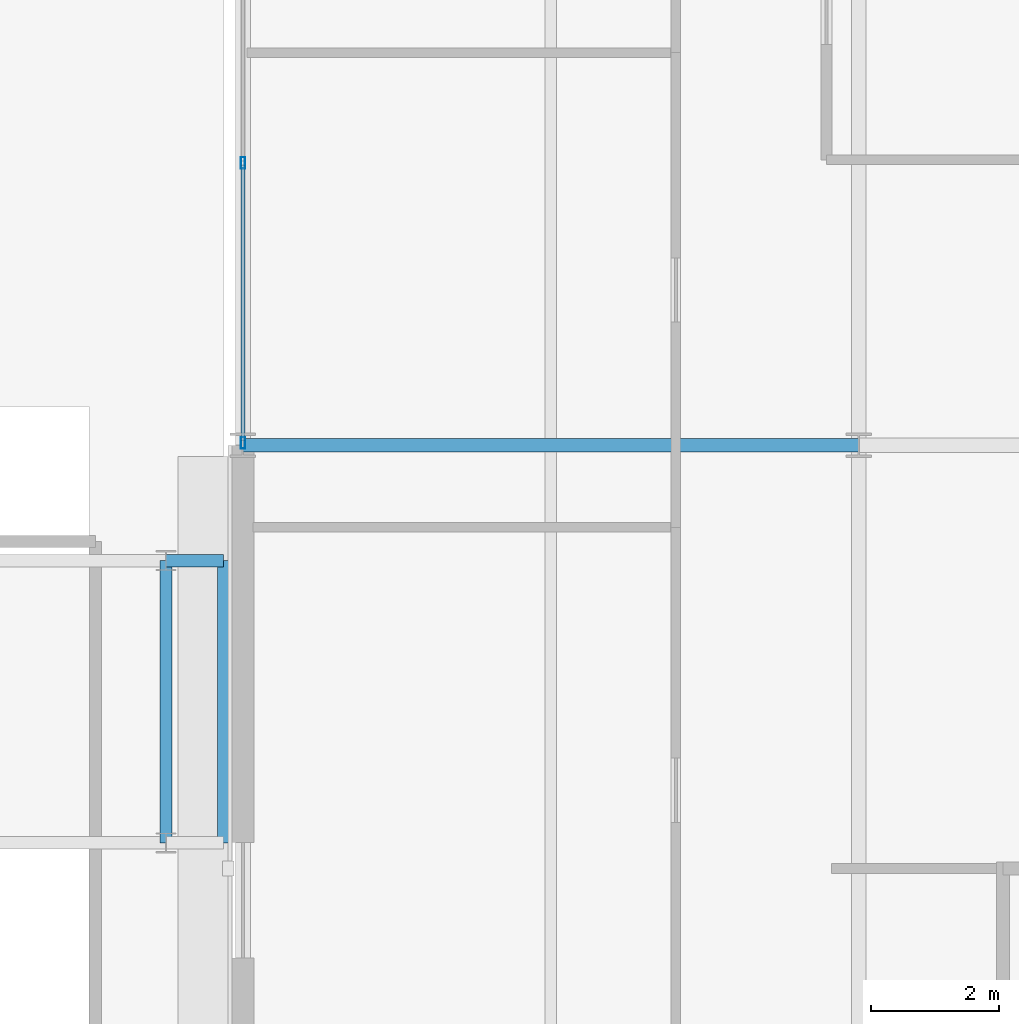
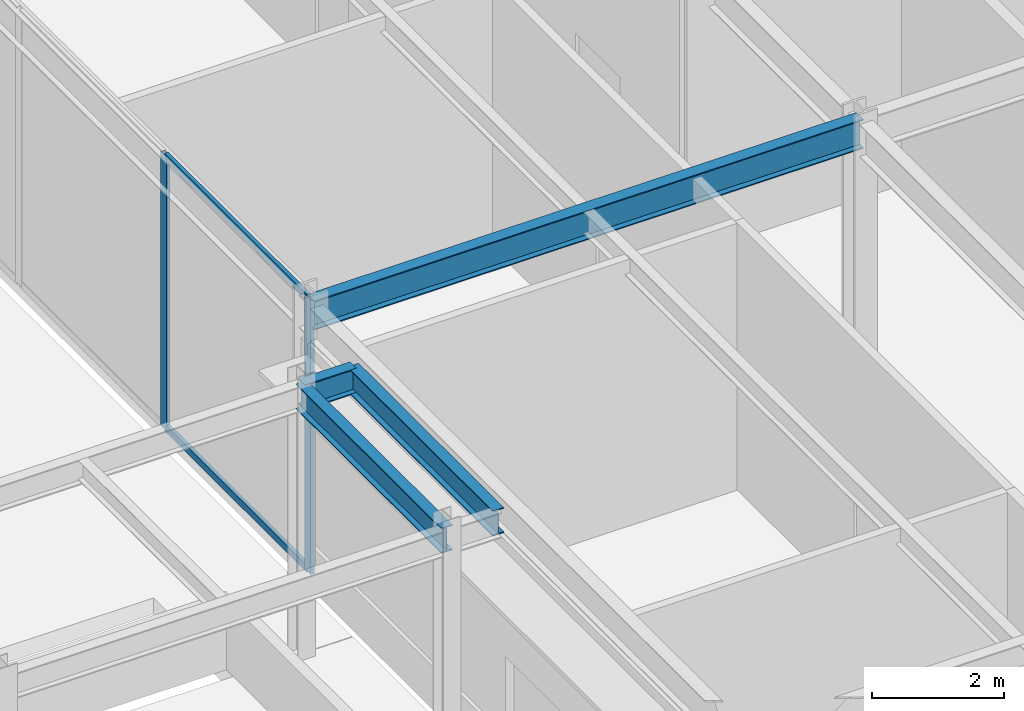
# One storey, part 101 of 168: 4 beams, 4 members, 1 element without a shape of its own.
"""IFC4 building model written with IfcOpenShell, lengths in metres."""

from ifc_helpers import new_model, si_unit, direction, frame, origin, origin_2d, place, context, subcontext, project, spatial, hollow_rectangle, i_section, extrude, material, material_profile, profile_set, type_object, element, aggregate, save


model = new_model("IFC4")

# Units and contexts
model_context = context("Model", 3, precision=1e-05, world=origin(), true_north=direction((0.0, 1.0)))
body_context = subcontext(model_context, "Body", "Model", "MODEL_VIEW")
ifc_project = project(units=[si_unit("LENGTHUNIT", "METRE"), si_unit("AREAUNIT", "SQUARE_METRE"), si_unit("VOLUMEUNIT", "CUBIC_METRE"), si_unit("PLANEANGLEUNIT", "RADIAN"), si_unit("MASSUNIT", "GRAM", prefix="KILO")], contexts=[model_context])

# Site, building, storey
site_placement = place(None, origin())
site = spatial("IfcSite", under=ifc_project, at=site_placement, CompositionType="ELEMENT")
building_placement = place(site_placement, origin())
building = spatial("IfcBuilding", under=site, at=building_placement, Name="Almandine Court Research Institute", CompositionType="ELEMENT")
storey_placement = place(building_placement, origin())
storey = spatial("IfcBuildingStorey", under=building, at=storey_placement, Name="L00", CompositionType="ELEMENT", Elevation=0.0)

# Beams
ifc_material_1 = material(Name="Steel ASTM A992 Grade 50", Category="steel")
ifc_material_profile_1 = material_profile(ifc_material_1, i_section(OverallWidth=0.2109375, OverallDepth=0.5390625, WebThickness=0.011962890625, FlangeThickness=0.01904296875, at=origin_2d()), Name="W530x109")
ifc_profile_set_1 = profile_set([ifc_material_profile_1], Name="Steel ASTM A992 Grade 50")
beam_type_1 = type_object("IfcBeamType", Name="Beam-G-04", PredefinedType="BEAM", material=ifc_profile_set_1)
beam_1_placement = place(storey_placement, frame((153.60009765625, 57.60009765625, 4.801025390625), z_axis=(1.0, 0.0, 0.0), x_axis=(0.0, 1.0, 0.0)))
element("IfcBeam", 1, at=beam_1_placement, inside=storey, type_object=beam_type_1, Name="L00 V4 Primary X Girder", PredefinedType="BEAM", context=body_context, shape_type="SweptSolid", body=[
    extrude(i_section(OverallWidth=0.2109375, OverallDepth=0.5390625, WebThickness=0.011962890625, FlangeThickness=0.01904296875, at=origin_2d()), origin(), (0.0, 0.0, 1.0), 9.599853515625),
])
ifc_material_profile_2 = material_profile(ifc_material_1, i_section(OverallWidth=0.193115234375, OverallDepth=0.466064453125, WebThickness=0.010986328125, FlangeThickness=0.01904296875, at=origin_2d()), Name="W460x97")
ifc_profile_set_2 = profile_set([ifc_material_profile_2], Name="Steel ASTM A992 Grade 50")
beam_type_2 = type_object("IfcBeamType", Name="Beam-G-06-E", PredefinedType="SPANDREL", material=ifc_profile_set_2)
beam_2_placement = place(storey_placement, frame((152.39990234375, 51.39990234375, 4.7900390625), z_axis=(0.0, 1.0, 0.0), x_axis=(-1.0, 0.0, 0.0)))
element("IfcBeam", 2, at=beam_2_placement, inside=storey, type_object=beam_type_2, Name="L00 DAL-E Primary Y Girder", PredefinedType="SPANDREL", context=body_context, shape_type="SweptSolid", body=[
    extrude(i_section(OverallWidth=0.193115234375, OverallDepth=0.466064453125, WebThickness=0.010986328125, FlangeThickness=0.01904296875, at=origin_2d()), origin(), (0.0, 0.0, 1.0), 4.400146484375),
])
beam_3_placement = place(storey_placement, frame((152.39990234375, 55.800048828125, 4.7919921875), z_axis=(1.0, 0.0, 0.0), x_axis=(0.0, 1.0, 0.0)))
element("IfcBeam", 3, at=beam_3_placement, inside=storey, type_object=beam_type_2, Name="L00 DAL-E Longitudinal Bridge Edge Girder Extension 2", PredefinedType="SPANDREL", context=body_context, shape_type="SweptSolid", body=[
    extrude(i_section(OverallWidth=0.193115234375, OverallDepth=0.466064453125, WebThickness=0.010986328125, FlangeThickness=0.01904296875, at=origin_2d()), origin(), (0.0, 0.0, 1.0), 0.900146484375),
])
beam_4_placement = place(storey_placement, frame((153.300048828125, 51.39990234375, 4.7919921875), z_axis=(0.0, 1.0, 0.0), x_axis=(-1.0, 0.0, 0.0)))
element("IfcBeam", 4, at=beam_4_placement, inside=storey, type_object=beam_type_2, Name="L00 DAL-E Bridge End Seat Diaphragm Girder", PredefinedType="SPANDREL", context=body_context, shape_type="SweptSolid", body=[
    extrude(i_section(OverallWidth=0.193115234375, OverallDepth=0.466064453125, WebThickness=0.010986328125, FlangeThickness=0.01904296875, at=origin_2d()), origin(), (0.0, 0.0, 1.0), 4.400146484375),
])

# Curtain wall, members
ifc_material_2 = material(Name="Unitised Curtain Wall Framing and Solar Glazing", Category="glass")
curtain_wall_type = type_object("IfcCurtainWallType", Name="CW-CWJ-14", PredefinedType="USERDEFINED", material=ifc_material_2)
curtain_wall_placement = place(storey_placement, origin())
curtain_wall = element("IfcCurtainWall", 5, at=curtain_wall_placement, inside=storey, type_object=curtain_wall_type, Name="L00 Wet Lab West Courtyard Jali Curtain Wall 4", ObjectType="SOLAR JALI SCREEN", PredefinedType="USERDEFINED")
ifc_material_3 = material(Name="Anodised Aluminium AW-6063-T6", Category="aluminium")
ifc_material_profile_3 = material_profile(ifc_material_3, hollow_rectangle(XDim=0.06494140625, YDim=0.179931640625, WallThickness=0.00390625, at=origin_2d()), Name="ALU RHS 65x180x4")
ifc_profile_set_3 = profile_set([ifc_material_profile_3], Name="Anodised Aluminium AW-6063-T6")
member_type_1 = type_object("IfcMemberType", Name="CWMul-65x180", PredefinedType="MULLION", material=ifc_profile_set_3)
member_1_placement = place(storey_placement, frame((153.60009765625, 57.636474609375, 0.0), z_axis=(0.0, 0.0, 1.0), x_axis=(-1.0, 0.0, 0.0)))
member_1 = element("IfcMember", 6, at=member_1_placement, type_object=member_type_1, Name="CWJ-14 mullion 1", PredefinedType="MULLION", context=body_context, shape_type="SweptSolid", body=[
    extrude(hollow_rectangle(XDim=0.06494140625, YDim=0.179931640625, WallThickness=0.00390625, at=origin_2d()), origin(), (0.0, 0.0, 1.0), 5.070068359375),
])
member_2_placement = place(storey_placement, frame((153.60009765625, 62.001220703125, 0.0), z_axis=(0.0, 0.0, 1.0), x_axis=(-1.0, 0.0, 0.0)))
member_2 = element("IfcMember", 7, at=member_2_placement, type_object=member_type_1, Name="CWJ-14 mullion 2", PredefinedType="MULLION", context=body_context, shape_type="SweptSolid", body=[
    extrude(hollow_rectangle(XDim=0.06494140625, YDim=0.179931640625, WallThickness=0.00390625, at=origin_2d()), origin(), (0.0, 0.0, 1.0), 5.070068359375),
])
ifc_material_profile_4 = material_profile(ifc_material_3, hollow_rectangle(XDim=0.06494140625, YDim=0.1298828125, WallThickness=0.00390625, at=origin_2d()), Name="ALU RHS 65x130x4")
ifc_profile_set_4 = profile_set([ifc_material_profile_4], Name="Anodised Aluminium AW-6063-T6")
member_type_2 = type_object("IfcMemberType", Name="CWTrn-65x130", PredefinedType="NOTDEFINED", material=ifc_profile_set_4)
member_3_placement = place(storey_placement, frame((153.60009765625, 57.6689453125, 0.032470703125), z_axis=(0.0, 1.0, 0.0), x_axis=(-1.0, 0.0, 0.0)))
member_3 = element("IfcMember", 8, at=member_3_placement, type_object=member_type_2, Name="CWJ-14 transom 1.1", ObjectType="TRANSOM", PredefinedType="USERDEFINED", context=body_context, shape_type="SweptSolid", body=[
    extrude(hollow_rectangle(XDim=0.06494140625, YDim=0.1298828125, WallThickness=0.00390625, at=origin_2d()), origin(), (0.0, 0.0, 1.0), 4.2998046875),
])
member_4_placement = place(storey_placement, frame((153.60009765625, 57.6689453125, 5.03759765625), z_axis=(0.0, 1.0, 0.0), x_axis=(-1.0, 0.0, 0.0)))
member_4 = element("IfcMember", 9, at=member_4_placement, type_object=member_type_2, Name="CWJ-14 transom 1.2", ObjectType="TRANSOM", PredefinedType="USERDEFINED", context=body_context, shape_type="SweptSolid", body=[
    extrude(hollow_rectangle(XDim=0.06494140625, YDim=0.1298828125, WallThickness=0.00390625, at=origin_2d()), origin(), (0.0, 0.0, 1.0), 4.2998046875),
])
aggregate(curtain_wall, [member_1, member_2, member_3, member_4])

save(model, "model.ifc")
